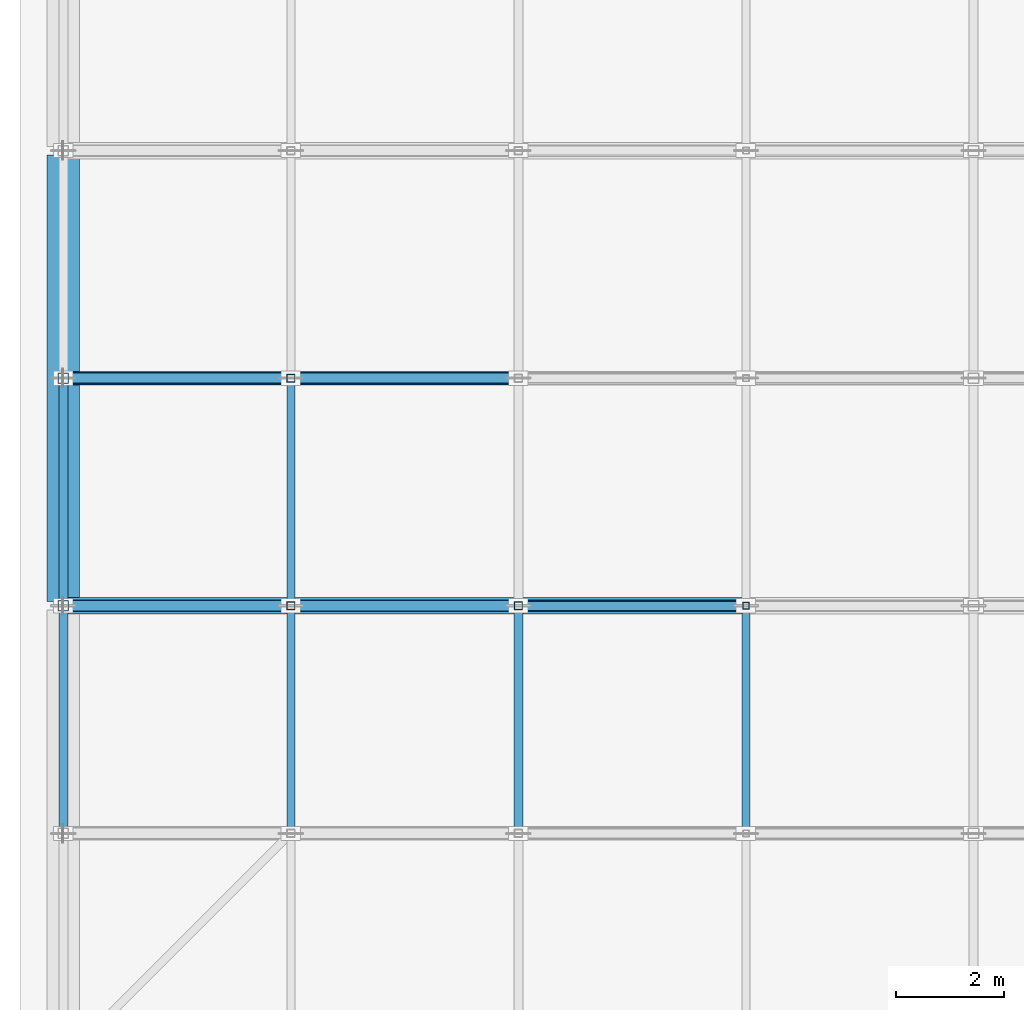
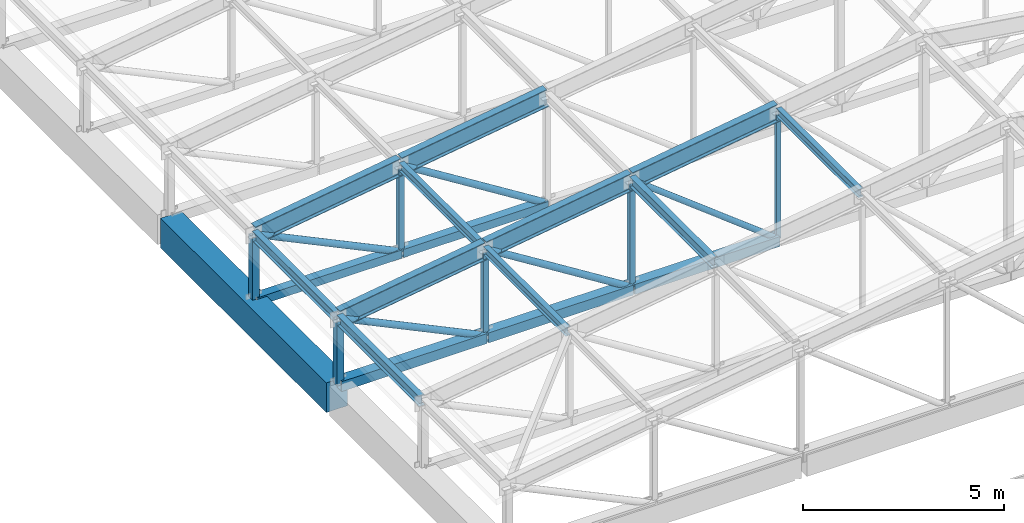
# One storey, part 28 of 122: 27 members, 1 beam.
"""IFC4 building model written with IfcOpenShell, lengths in metres."""

from ifc_helpers import new_model, si_unit, direction, frame, origin, origin_2d, place, context, subcontext, project, spatial, rectangle, hollow_rectangle, hollow_circle, i_section, extrude, material, material_profile, profile_set, type_object, element, save


model = new_model("IFC4")

# Units and contexts
model_context = context("Model", 3, precision=1e-05, world=origin(), true_north=direction((0.0, 1.0)))
body_context = subcontext(model_context, "Body", "Model", "MODEL_VIEW")
ifc_project = project(units=[si_unit("LENGTHUNIT", "METRE"), si_unit("AREAUNIT", "SQUARE_METRE"), si_unit("VOLUMEUNIT", "CUBIC_METRE"), si_unit("PLANEANGLEUNIT", "RADIAN"), si_unit("MASSUNIT", "GRAM", prefix="KILO")], contexts=[model_context])

# Site, building, storey
site_placement = place(None, origin())
site = spatial("IfcSite", under=ifc_project, at=site_placement, CompositionType="ELEMENT")
building_placement = place(site_placement, origin())
building = spatial("IfcBuilding", under=site, at=building_placement, Name="Telukmera Botanical Conservatory", CompositionType="ELEMENT")
storey_placement = place(building_placement, frame((0.0, 0.0, 10.199951171875)))
storey = spatial("IfcBuildingStorey", under=building, at=storey_placement, Name="L02", CompositionType="ELEMENT", Elevation=10.199951171875)

# Beam
ifc_material_1 = material(Name="Concrete C40/50", Category="concrete")
ifc_material_profile_1 = material_profile(ifc_material_1, rectangle(XDim=0.60009765625, YDim=0.89990234375, at=origin_2d()), Name="RC 600x900")
ifc_profile_set_1 = profile_set([ifc_material_profile_1], Name="Concrete C40/50")
beam_type = type_object("IfcBeamType", Name="Beam_B3", PredefinedType="BEAM", material=ifc_profile_set_1)
beam_placement = place(storey_placement, frame((8.39990234375, 91.679931640625, -0.449951171875), z_axis=(0.0, 1.0, 0.0), x_axis=(-1.0, 0.0, 0.0)))
element("IfcBeam", 1, at=beam_placement, inside=storey, type_object=beam_type, Name="Auditorium Frame Beam beam:V2:L02:eave:84:916", PredefinedType="BEAM", context=body_context, shape_type="SweptSolid", body=[
    extrude(rectangle(XDim=0.60009765625, YDim=0.89990234375, at=origin_2d()), origin(), (0.0, 0.0, 1.0), 8.239990234375),
])

# Members
ifc_material_2 = material(Name="Steel S355", Category="steel")
ifc_material_profile_2 = material_profile(ifc_material_2, i_section(OverallWidth=0.210693359375, OverallDepth=0.53955078125, WebThickness=0.01171875, FlangeThickness=0.018798828125, FilletRadius=0.0126953125, at=origin_2d()), Name="UB 533x210x109")
ifc_profile_set_2 = profile_set([ifc_material_profile_2], Name="Steel S355")
member_type_1 = type_object("IfcMemberType", Name="Mem_TC1", PredefinedType="CHORD", material=ifc_profile_set_2)
member_1_placement = place(storey_placement, frame((8.419921875, 91.60009765625, 1.923095703125), z_axis=(0.989021335912, 0.0, 0.147772788805), x_axis=(0.0, 1.0, 0.0)))
element("IfcMember", 2, at=member_1_placement, inside=storey, type_object=member_type_1, Name="Auditorium Pratt Truss Top Chord T3-1", PredefinedType="CHORD", context=body_context, shape_type="SweptSolid", body=[
    extrude(i_section(OverallWidth=0.210693359375, OverallDepth=0.53955078125, WebThickness=0.01171875, FlangeThickness=0.018798828125, FilletRadius=0.0126953125, at=origin_2d()), origin(), (0.0, 0.0, 1.0), 4.206298828125),
])
for number, where, z_axis, x_axis, name in (
    (3, (12.619873046875, 91.60009765625, 2.55078125), (0.989022603236, 0.0, 0.147764306545), (0.0, 1.0, 0.0), "Auditorium Pratt Truss Top Chord T3-2"),
    (4, (16.81982421875, 91.60009765625, 3.178466796875), (0.989022603236, 0.0, 0.147764306545), (0.0, 1.0, 0.0), "Auditorium Pratt Truss Top Chord T3-3"),
):
    element("IfcMember", number, at=place(storey_placement, frame(where, z_axis=z_axis, x_axis=x_axis)), inside=storey, type_object=member_type_1, Name=name, PredefinedType="CHORD", context=body_context, shape_type="SweptSolid", body=[
        extrude(i_section(OverallWidth=0.210693359375, OverallDepth=0.53955078125, WebThickness=0.01171875, FlangeThickness=0.018798828125, FilletRadius=0.0126953125, at=origin_2d()), origin(), (0.0, 0.0, 1.0), 4.20654296875),
    ])
member_2_placement = place(storey_placement, frame((8.419921875, 95.800048828125, 1.923095703125), z_axis=(0.989021335912, 0.0, 0.147772788805), x_axis=(0.0, 1.0, 0.0)))
element("IfcMember", 5, at=member_2_placement, inside=storey, type_object=member_type_1, Name="Auditorium Pratt Truss Top Chord T4-1", PredefinedType="CHORD", context=body_context, shape_type="SweptSolid", body=[
    extrude(i_section(OverallWidth=0.210693359375, OverallDepth=0.53955078125, WebThickness=0.01171875, FlangeThickness=0.018798828125, FilletRadius=0.0126953125, at=origin_2d()), origin(), (0.0, 0.0, 1.0), 4.206298828125),
])
member_3_placement = place(storey_placement, frame((12.619873046875, 95.800048828125, 2.55078125), z_axis=(0.989022603236, 0.0, 0.147764306545), x_axis=(0.0, 1.0, 0.0)))
element("IfcMember", 6, at=member_3_placement, inside=storey, type_object=member_type_1, Name="Auditorium Pratt Truss Top Chord T4-2", PredefinedType="CHORD", context=body_context, shape_type="SweptSolid", body=[
    extrude(i_section(OverallWidth=0.210693359375, OverallDepth=0.53955078125, WebThickness=0.01171875, FlangeThickness=0.018798828125, FilletRadius=0.0126953125, at=origin_2d()), origin(), (0.0, 0.0, 1.0), 4.20654296875),
])
ifc_material_profile_3 = material_profile(ifc_material_2, hollow_rectangle(XDim=0.25, YDim=0.25, WallThickness=0.012451171875, at=origin_2d()), Name="SHS 250x250x12.5")
ifc_profile_set_3 = profile_set([ifc_material_profile_3], Name="Steel S355")
member_type_2 = type_object("IfcMemberType", Name="Mem_TC2", PredefinedType="CHORD", material=ifc_profile_set_3)
member_4_placement = place(storey_placement, frame((8.39990234375, 95.800048828125, -0.079833984375), z_axis=(1.0, 0.0, 0.0), x_axis=(0.0, 1.0, 0.0)))
element("IfcMember", 7, at=member_4_placement, inside=storey, type_object=member_type_2, Name="Auditorium Pratt Truss Bottom Chord T4-1", PredefinedType="CHORD", context=body_context, shape_type="SweptSolid", body=[
    extrude(hollow_rectangle(XDim=0.25, YDim=0.25, WallThickness=0.012451171875, at=origin_2d()), origin(), (0.0, 0.0, 1.0), 4.18017578125),
])
member_5_placement = place(storey_placement, frame((12.6201171875, 95.800048828125, -0.079833984375), z_axis=(1.0, 0.0, 0.0), x_axis=(0.0, 1.0, 0.0)))
element("IfcMember", 8, at=member_5_placement, inside=storey, type_object=member_type_2, Name="Auditorium Pratt Truss Bottom Chord T4-2", PredefinedType="CHORD", context=body_context, shape_type="SweptSolid", body=[
    extrude(hollow_rectangle(XDim=0.25, YDim=0.25, WallThickness=0.012451171875, at=origin_2d()), origin(), (0.0, 0.0, 1.0), 4.159912109375),
])
ifc_material_profile_4 = material_profile(ifc_material_2, hollow_rectangle(XDim=0.300048828125, YDim=0.300048828125, WallThickness=0.012451171875, at=origin_2d()), Name="SHS 300x300x12.5")
ifc_profile_set_4 = profile_set([ifc_material_profile_4], Name="Steel S355")
member_type_3 = type_object("IfcMemberType", Name="Mem_TC3", PredefinedType="CHORD", material=ifc_profile_set_4)
member_6_placement = place(storey_placement, frame((8.39990234375, 91.60009765625, -0.079833984375), z_axis=(1.0, 0.0, 0.0), x_axis=(0.0, 1.0, 0.0)))
element("IfcMember", 9, at=member_6_placement, inside=storey, type_object=member_type_3, Name="Auditorium Pratt Truss Bottom Chord T3-1", PredefinedType="CHORD", context=body_context, shape_type="SweptSolid", body=[
    extrude(hollow_rectangle(XDim=0.300048828125, YDim=0.300048828125, WallThickness=0.012451171875, at=origin_2d()), origin(), (0.0, 0.0, 1.0), 4.18017578125),
])
for number, where, z_axis, x_axis, name in (
    (10, (12.6201171875, 91.60009765625, -0.079833984375), (1.0, 0.0, 0.0), (0.0, 1.0, 0.0), "Auditorium Pratt Truss Bottom Chord T3-2"),
    (11, (16.820068359375, 91.60009765625, -0.079833984375), (1.0, 0.0, 0.0), (0.0, 1.0, 0.0), "Auditorium Pratt Truss Bottom Chord T3-3"),
):
    element("IfcMember", number, at=place(storey_placement, frame(where, z_axis=z_axis, x_axis=x_axis)), inside=storey, type_object=member_type_3, Name=name, PredefinedType="CHORD", context=body_context, shape_type="SweptSolid", body=[
        extrude(hollow_rectangle(XDim=0.300048828125, YDim=0.300048828125, WallThickness=0.012451171875, at=origin_2d()), origin(), (0.0, 0.0, 1.0), 4.159912109375),
    ])
ifc_material_profile_5 = material_profile(ifc_material_2, hollow_circle(Radius=0.096923828125, WallThickness=0.008056640625, at=origin_2d()), Name="CHS 193.7x8.0")
ifc_profile_set_5 = profile_set([ifc_material_profile_5], Name="Steel S355")
member_type_4 = type_object("IfcMemberType", Name="Mem_TD1", PredefinedType="BRACE", material=ifc_profile_set_5)
member_7_placement = place(storey_placement, frame((8.427001953125, 91.60009765625, 1.9072265625), z_axis=(0.902853639645, 0.0, -0.42994802637), x_axis=(0.0, 1.0, 0.0)))
element("IfcMember", 12, at=member_7_placement, inside=storey, type_object=member_type_4, Name="Auditorium Pratt Truss Web Diagonal T3-D1", PredefinedType="BRACE", context=body_context, shape_type="SweptSolid", body=[
    extrude(hollow_circle(Radius=0.096923828125, WallThickness=0.008056640625, at=origin_2d()), origin(), (0.0, 0.0, 1.0), 4.592041015625),
])
member_8_placement = place(storey_placement, frame((12.62548828125, 91.60009765625, 2.53173828125), z_axis=(0.84777122797, 0.0, -0.530362088601), x_axis=(0.0, 1.0, 0.0)))
element("IfcMember", 13, at=member_8_placement, inside=storey, type_object=member_type_4, Name="Auditorium Pratt Truss Web Diagonal T3-D2", PredefinedType="BRACE", context=body_context, shape_type="SweptSolid", body=[
    extrude(hollow_circle(Radius=0.096923828125, WallThickness=0.008056640625, at=origin_2d()), origin(), (0.0, 0.0, 1.0), 4.894287109375),
])
member_9_placement = place(storey_placement, frame((8.427001953125, 95.800048828125, 1.9072265625), z_axis=(0.902853639645, 0.0, -0.42994802637), x_axis=(0.0, 1.0, 0.0)))
element("IfcMember", 14, at=member_9_placement, inside=storey, type_object=member_type_4, Name="Auditorium Pratt Truss Web Diagonal T4-D1", PredefinedType="BRACE", context=body_context, shape_type="SweptSolid", body=[
    extrude(hollow_circle(Radius=0.096923828125, WallThickness=0.008056640625, at=origin_2d()), origin(), (0.0, 0.0, 1.0), 4.592041015625),
])
member_10_placement = place(storey_placement, frame((12.62548828125, 95.800048828125, 2.53173828125), z_axis=(0.84777122797, 0.0, -0.530362088601), x_axis=(0.0, 1.0, 0.0)))
element("IfcMember", 15, at=member_10_placement, inside=storey, type_object=member_type_4, Name="Auditorium Pratt Truss Web Diagonal T4-D2", PredefinedType="BRACE", context=body_context, shape_type="SweptSolid", body=[
    extrude(hollow_circle(Radius=0.096923828125, WallThickness=0.008056640625, at=origin_2d()), origin(), (0.0, 0.0, 1.0), 4.894287109375),
])
ifc_material_profile_6 = material_profile(ifc_material_2, hollow_circle(Radius=0.084228515625, WallThickness=0.008056640625, at=origin_2d()), Name="CHS 168.3x8.0")
ifc_profile_set_6 = profile_set([ifc_material_profile_6], Name="Steel S355")
member_type_5 = type_object("IfcMemberType", Name="Mem_TD2", PredefinedType="BRACE", material=ifc_profile_set_6)
member_11_placement = place(storey_placement, frame((16.82373046875, 91.60009765625, 3.156982421875), z_axis=(0.790391989469, 0.0, -0.61260142261), x_axis=(0.0, 1.0, 0.0)))
element("IfcMember", 16, at=member_11_placement, inside=storey, type_object=member_type_5, Name="Auditorium Pratt Truss Web Diagonal T3-D3", PredefinedType="BRACE", context=body_context, shape_type="SweptSolid", body=[
    extrude(hollow_circle(Radius=0.084228515625, WallThickness=0.008056640625, at=origin_2d()), origin(), (0.0, 0.0, 1.0), 5.25390625),
])
ifc_material_profile_7 = material_profile(ifc_material_2, i_section(OverallWidth=0.165771484375, OverallDepth=0.306640625, WebThickness=0.006591796875, FlangeThickness=0.01171875, FilletRadius=0.0087890625, at=origin_2d()), Name="UB 305x165x46")
ifc_profile_set_7 = profile_set([ifc_material_profile_7], Name="Steel S355")
member_type_6 = type_object("IfcMemberType", Name="Mem_TPB1", PredefinedType="PURLIN", material=ifc_profile_set_7)
for number, where, z_axis, x_axis, name in (
    (17, (8.39990234375, 87.4599609375, 1.920166015625), (0.0, 1.0, 0.0), (-1.0, 0.0, 0.0), "Auditorium Roof Steel Purlin P2-0"),
    (18, (16.800048828125, 87.4599609375, 3.175537109375), (0.0, 1.0, 0.0), (-1.0, 0.0, 0.0), "Auditorium Roof Steel Purlin P2-2"),
    (19, (8.39990234375, 91.659912109375, 1.920166015625), (0.0, 1.0, 0.0), (-1.0, 0.0, 0.0), "Auditorium Roof Steel Purlin P3-0"),
):
    element("IfcMember", number, at=place(storey_placement, frame(where, z_axis=z_axis, x_axis=x_axis)), inside=storey, type_object=member_type_6, Name=name, PredefinedType="PURLIN", context=body_context, shape_type="SweptSolid", body=[
        extrude(i_section(OverallWidth=0.165771484375, OverallDepth=0.306640625, WebThickness=0.006591796875, FlangeThickness=0.01171875, FilletRadius=0.0087890625, at=origin_2d()), origin(), (0.0, 0.0, 1.0), 4.080078125),
    ])
ifc_material_profile_8 = material_profile(ifc_material_2, i_section(OverallWidth=0.146484375, OverallDepth=0.256103515625, WebThickness=0.00634765625, FlangeThickness=0.010986328125, FilletRadius=0.007568359375, at=origin_2d()), Name="UB 254x146x37")
ifc_profile_set_8 = profile_set([ifc_material_profile_8], Name="Steel S355")
member_type_7 = type_object("IfcMemberType", Name="Mem_TPB2", PredefinedType="PURLIN", material=ifc_profile_set_8)
for number, where, z_axis, x_axis, name in (
    (20, (12.60009765625, 87.4599609375, 2.5478515625), (0.0, 1.0, 0.0), (-1.0, 0.0, 0.0), "Auditorium Roof Steel Purlin P2-1"),
    (21, (21.0, 87.4599609375, 3.80322265625), (0.0, 1.0, 0.0), (-1.0, 0.0, 0.0), "Auditorium Roof Steel Purlin P2-3"),
    (22, (12.60009765625, 91.659912109375, 2.5478515625), (0.0, 1.0, 0.0), (-1.0, 0.0, 0.0), "Auditorium Roof Steel Purlin P3-1"),
):
    element("IfcMember", number, at=place(storey_placement, frame(where, z_axis=z_axis, x_axis=x_axis)), inside=storey, type_object=member_type_7, Name=name, PredefinedType="PURLIN", context=body_context, shape_type="SweptSolid", body=[
        extrude(i_section(OverallWidth=0.146484375, OverallDepth=0.256103515625, WebThickness=0.00634765625, FlangeThickness=0.010986328125, FilletRadius=0.007568359375, at=origin_2d()), origin(), (0.0, 0.0, 1.0), 4.080078125),
    ])
ifc_material_profile_9 = material_profile(ifc_material_2, hollow_rectangle(XDim=0.199951171875, YDim=0.199951171875, WallThickness=0.010009765625, at=origin_2d()), Name="SHS 200x200x10.0")
ifc_profile_set_9 = profile_set([ifc_material_profile_9], Name="Steel S355")
member_type_8 = type_object("IfcMemberType", Name="Mem_TV1", PredefinedType="POST", material=ifc_profile_set_9)
for number, where, z_axis, x_axis, name in (
    (23, (8.39990234375, 91.60009765625, -0.06005859375), (0.0, 0.0, 1.0), (1.0, 0.0, 0.0), "Auditorium Pratt Truss Vertical T3-V0"),
    (24, (8.39990234375, 95.800048828125, -0.06005859375), (0.0, 0.0, 1.0), (1.0, 0.0, 0.0), "Auditorium Pratt Truss Vertical T4-V0"),
):
    element("IfcMember", number, at=place(storey_placement, frame(where, z_axis=z_axis, x_axis=x_axis)), inside=storey, type_object=member_type_8, Name=name, PredefinedType="POST", context=body_context, shape_type="SweptSolid", body=[
        extrude(hollow_rectangle(XDim=0.199951171875, YDim=0.199951171875, WallThickness=0.010009765625, at=origin_2d()), origin(), (0.0, 0.0, 1.0), 1.960205078125),
    ])
ifc_material_profile_10 = material_profile(ifc_material_2, hollow_rectangle(XDim=0.14990234375, YDim=0.14990234375, WallThickness=0.008056640625, at=origin_2d()), Name="SHS 150x150x8.0")
ifc_profile_set_10 = profile_set([ifc_material_profile_10], Name="Steel S355")
member_type_9 = type_object("IfcMemberType", Name="Mem_TV2", PredefinedType="POST", material=ifc_profile_set_10)
member_12_placement = place(storey_placement, frame((12.60009765625, 91.60009765625, -0.06005859375), z_axis=(0.0, 0.0, 1.0), x_axis=(1.0, 0.0, 0.0)))
element("IfcMember", 25, at=member_12_placement, inside=storey, type_object=member_type_9, Name="Auditorium Pratt Truss Vertical T3-V1", PredefinedType="POST", context=body_context, shape_type="SweptSolid", body=[
    extrude(hollow_rectangle(XDim=0.14990234375, YDim=0.14990234375, WallThickness=0.008056640625, at=origin_2d()), origin(), (0.0, 0.0, 1.0), 2.587890625),
])
member_13_placement = place(storey_placement, frame((16.800048828125, 91.60009765625, -0.06005859375), z_axis=(0.0, 0.0, 1.0), x_axis=(1.0, 0.0, 0.0)))
element("IfcMember", 26, at=member_13_placement, inside=storey, type_object=member_type_9, Name="Auditorium Pratt Truss Vertical T3-V2", PredefinedType="POST", context=body_context, shape_type="SweptSolid", body=[
    extrude(hollow_rectangle(XDim=0.14990234375, YDim=0.14990234375, WallThickness=0.008056640625, at=origin_2d()), origin(), (0.0, 0.0, 1.0), 3.215576171875),
])
member_14_placement = place(storey_placement, frame((12.60009765625, 95.800048828125, -0.06005859375), z_axis=(0.0, 0.0, 1.0), x_axis=(1.0, 0.0, 0.0)))
element("IfcMember", 27, at=member_14_placement, inside=storey, type_object=member_type_9, Name="Auditorium Pratt Truss Vertical T4-V1", PredefinedType="POST", context=body_context, shape_type="SweptSolid", body=[
    extrude(hollow_rectangle(XDim=0.14990234375, YDim=0.14990234375, WallThickness=0.008056640625, at=origin_2d()), origin(), (0.0, 0.0, 1.0), 2.587890625),
])
ifc_material_profile_11 = material_profile(ifc_material_2, hollow_rectangle(XDim=0.1201171875, YDim=0.1201171875, WallThickness=0.00634765625, at=origin_2d()), Name="SHS 120x120x6.3")
ifc_profile_set_11 = profile_set([ifc_material_profile_11], Name="Steel S355")
member_type_10 = type_object("IfcMemberType", Name="Mem_TV3", PredefinedType="POST", material=ifc_profile_set_11)
member_15_placement = place(storey_placement, frame((21.0, 91.60009765625, -0.06005859375), z_axis=(0.0, 0.0, 1.0), x_axis=(1.0, 0.0, 0.0)))
element("IfcMember", 28, at=member_15_placement, inside=storey, type_object=member_type_10, Name="Auditorium Pratt Truss Vertical T3-V3", PredefinedType="POST", context=body_context, shape_type="SweptSolid", body=[
    extrude(hollow_rectangle(XDim=0.1201171875, YDim=0.1201171875, WallThickness=0.00634765625, at=origin_2d()), origin(), (0.0, 0.0, 1.0), 3.84326171875),
])

save(model, "model.ifc")
